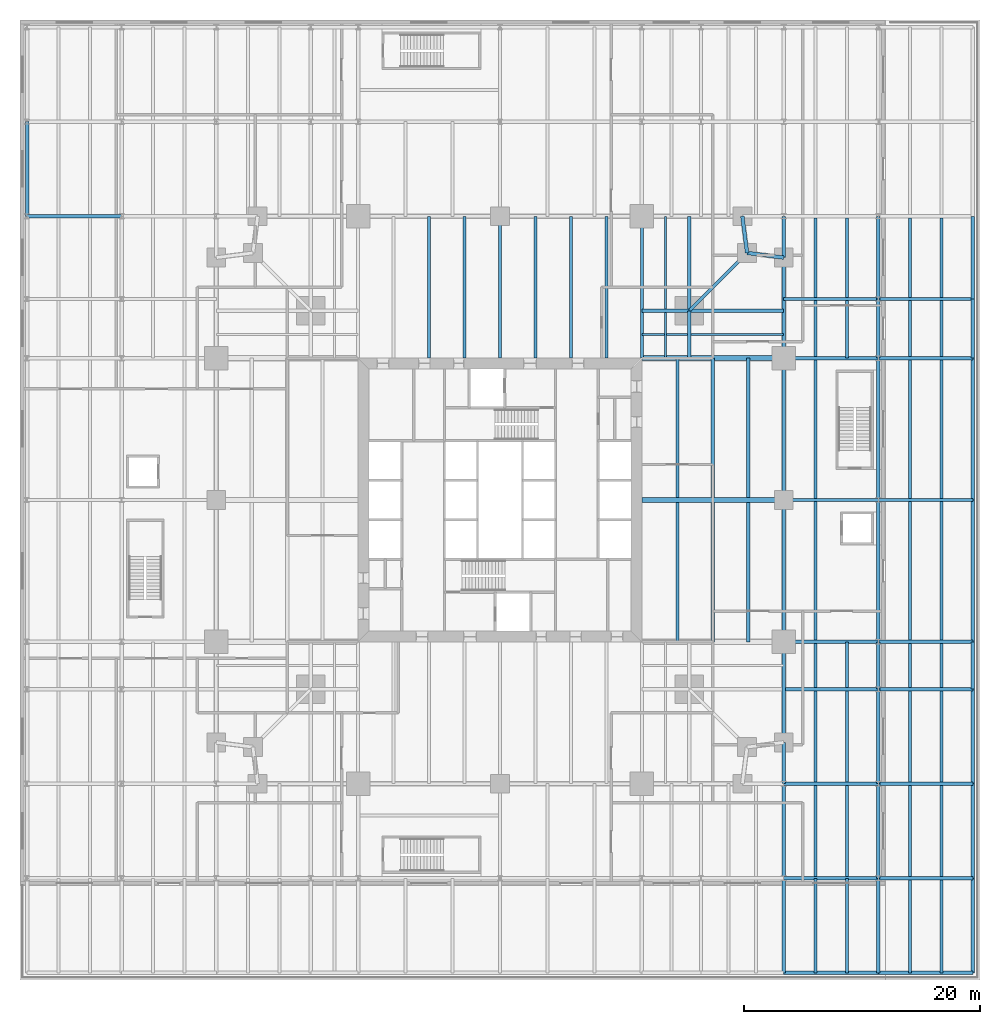
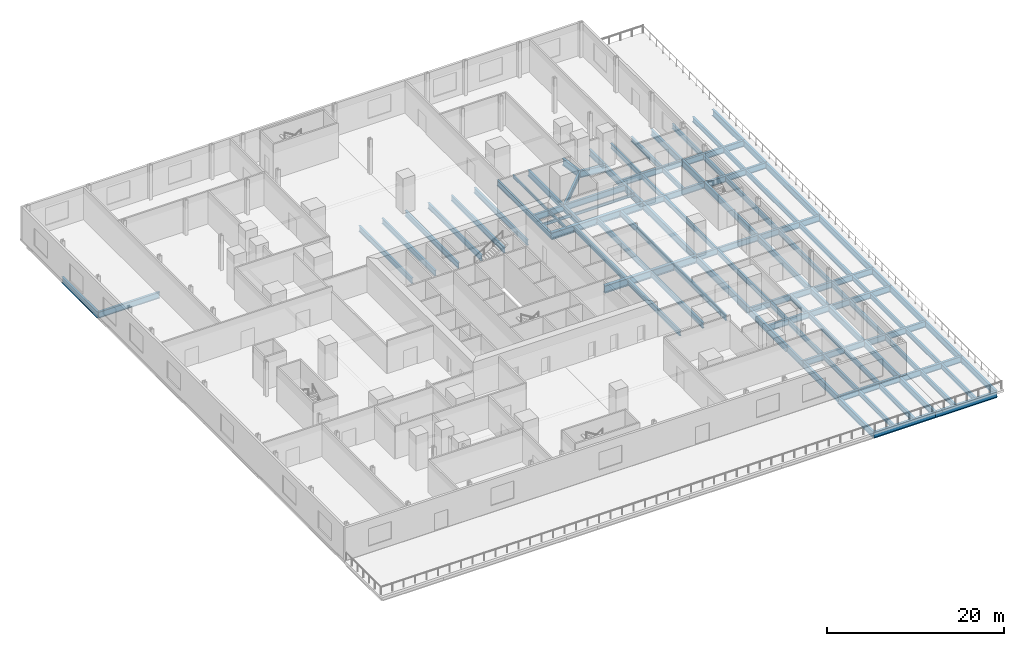
# One storey, part 7 of 18: 99 beams.
"""IFC4 building model written with IfcOpenShell, lengths in metres."""

import ifcopenshell
import ifcopenshell.guid

model = None  # the IFC model being written
_history = None  # IfcOwnerHistory: only IFC2X3 demands one
_inside = {}  # id of a spatial element -> (the spatial element, [elements in it])
_under = {}  # id of a project, library or spatial element -> (it, [spatial elements below it])
_declared = {}  # id of a project -> (the project, [libraries it declares])
_typed = {}  # id of a type object -> (the type object, [elements of that type])
_made_of = {}  # id of a material, layer set ... -> (it, [elements and type objects made of it])


def new_model(schema):
    """Start an empty IFC model of exactly this schema.

    Asked for "IFC4X3", IfcOpenShell would pick the latest addendum, in which some entities
    have other attributes; the version numbers below select the first issue.
    IFC2X3 requires an IfcOwnerHistory on every rooted entity: one is made here for all.
    """
    global model, _history
    if schema == "IFC4X3":
        model = ifcopenshell.file(schema_version=(4, 3, 0, 0))
    else:
        model = ifcopenshell.file(schema=schema)
    _inside.clear()
    _under.clear()
    _declared.clear()
    _typed.clear()
    _made_of.clear()
    _history = None
    if model.schema == "IFC2X3":
        org = make("IfcOrganization", Name="unknown")
        user = make(
            "IfcPersonAndOrganization",
            ThePerson=make("IfcPerson", FamilyName="unknown"),
            TheOrganization=org,
        )
        app = make(
            "IfcApplication",
            ApplicationDeveloper=org,
            Version="unknown",
            ApplicationFullName="unknown",
            ApplicationIdentifier="unknown",
        )
        _history = make(
            "IfcOwnerHistory",
            OwningUser=user,
            OwningApplication=app,
            ChangeAction="ADDED",
            CreationDate=0,
        )
    return model


def make(cls, **values):
    """One entity of the class cls with the attributes given. An attribute that is None is left unset."""
    return model.create_entity(
        cls, **{name: value for name, value in values.items() if value is not None}
    )


def rooted(cls, **values):
    """An entity with a GlobalId (a new one), such as an element, a storey or a relation."""
    return make(cls, GlobalId=ifcopenshell.guid.new(), OwnerHistory=_history, **values)


def si_unit(unit_type, name, prefix=None):
    """IfcSIUnit, for example si_unit("LENGTHUNIT", "METRE", prefix="MILLI")."""
    return make("IfcSIUnit", UnitType=unit_type, Prefix=prefix, Name=name)


def assignment(units):
    """IfcUnitAssignment: the units of a project."""
    return None if units is None else make("IfcUnitAssignment", Units=units)


def point(xyz):
    """IfcCartesianPoint."""
    return None if xyz is None else make("IfcCartesianPoint", Coordinates=xyz)


def direction(xyz):
    """IfcDirection."""
    return None if xyz is None else make("IfcDirection", DirectionRatios=xyz)


def frame(location, z_axis=None, x_axis=None):
    """IfcAxis2Placement3D, a coordinate frame: its origin and axes. An axis left out is left unset."""
    return make(
        "IfcAxis2Placement3D",
        Location=point(location),
        Axis=direction(z_axis),
        RefDirection=direction(x_axis),
    )


def frame_2d(location, x_axis=None):
    """IfcAxis2Placement2D, a coordinate frame in the plane: its origin and x axis."""
    return make(
        "IfcAxis2Placement2D", Location=point(location), RefDirection=direction(x_axis)
    )


def origin():
    """The frame at (0, 0, 0) with its axes left unset."""
    return frame((0.0, 0.0, 0.0))


def origin_2d():
    """The frame at (0, 0) in the plane with its x axis left unset."""
    return frame_2d((0.0, 0.0))


def place(relative_to, where):
    """IfcLocalPlacement: puts the frame where relative to a parent placement (None: the world)."""
    return make(
        "IfcLocalPlacement", PlacementRelTo=relative_to, RelativePlacement=where
    )


def context(
    kind, dimensions, precision=None, world=None, true_north=None, identifier=None
):
    """IfcGeometricRepresentationContext, for example the 3D "Model" context."""
    return make(
        "IfcGeometricRepresentationContext",
        ContextIdentifier=identifier,
        ContextType=kind,
        CoordinateSpaceDimension=dimensions,
        Precision=precision,
        WorldCoordinateSystem=world,
        TrueNorth=true_north,
    )


def subcontext(parent, identifier, kind, view, scale=None):
    """IfcGeometricRepresentationSubContext, for example "Body" below "Model"."""
    return make(
        "IfcGeometricRepresentationSubContext",
        ContextIdentifier=identifier,
        ContextType=kind,
        ParentContext=parent,
        TargetScale=scale,
        TargetView=view,
    )


def project(units=None, contexts=None):
    """IfcProject with its units and contexts."""
    return rooted(
        "IfcProject",
        Name="project",
        RepresentationContexts=contexts,
        UnitsInContext=assignment(units),
    )


def spatial(cls, under=None, at=None, **own):
    """A site, building, storey or space (cls), placed at a placement, below another one or the project."""
    s = rooted(cls, ObjectPlacement=at, **own)
    if under is not None:
        _under.setdefault(under.id(), (under, []))[1].append(s)
    return s


def profile(cls, at=None, kind="AREA", **sizes):
    """A parametric profile (cls). Its sizes go by their IFC names, for example OverallWidth=200.0."""
    return make(cls, ProfileType=kind, Position=at, **sizes)


def i_section(**sizes):
    """IfcIShapeProfileDef."""
    return profile("IfcIShapeProfileDef", **sizes)


def extrude(swept, where, along, depth):
    """IfcExtrudedAreaSolid: the profile swept, set in the frame where, extruded along a direction by depth."""
    return make(
        "IfcExtrudedAreaSolid",
        SweptArea=swept,
        Position=where,
        ExtrudedDirection=direction(along),
        Depth=depth,
    )


def shape(context_of_items, identifier, shape_type, items):
    """IfcShapeRepresentation: the items that make up one representation, for example the "Body"."""
    return make(
        "IfcShapeRepresentation",
        ContextOfItems=context_of_items,
        RepresentationIdentifier=identifier,
        RepresentationType=shape_type,
        Items=items,
    )


def material(Name=None, Category=None):
    """IfcMaterial."""
    return make("IfcMaterial", Name=Name, Category=Category)


def material_profile(
    of_material, cross_section, Name=None, Category=None, Priority=None
):
    """IfcMaterialProfile: a cross section and its material."""
    return make(
        "IfcMaterialProfile",
        Name=Name,
        Material=of_material,
        Profile=cross_section,
        Priority=Priority,
        Category=Category,
    )


def profile_set(profiles, Name=None, composite=None):
    """IfcMaterialProfileSet."""
    return make(
        "IfcMaterialProfileSet",
        Name=Name,
        MaterialProfiles=profiles,
        CompositeProfile=composite,
    )


def made_of(thing, what):
    """Note that an element or type object is made of a material, layer set ...; save() writes the relation."""
    if what is not None:
        _made_of.setdefault(what.id(), (what, []))[1].append(thing)
    return thing


def type_object(cls, material=None, **own):
    """A type object (cls), such as IfcWallType, which elements share."""
    return made_of(rooted(cls, **own), material)


def element(
    cls,
    number,
    at=None,
    inside=None,
    cuts=None,
    type_object=None,
    material=None,
    context=None,
    identifier="Body",
    shape_type=None,
    held_by="IfcProductDefinitionShape",
    body=None,
    shapes=None,
    **own,
):
    """One element of the class cls, such as IfcWall. Its Tag is "e" and its number.

    at: its placement. inside: the storey or other place that contains it. cuts: it is an
    opening in that element (IfcRelVoidsElement). A single representation is given by context,
    identifier, shape_type and body (its items); several are given by shapes. held_by: the class
    of the entity that holds the representations. save() writes the other relations.
    """
    e = rooted(cls, Tag="e%d" % number, ObjectPlacement=at, **own)
    if body is not None:
        shapes = [shape(context, identifier, shape_type, body)]
    if shapes is not None:
        e.Representation = make(held_by, Representations=shapes)
    if inside is not None:
        _inside.setdefault(inside.id(), (inside, []))[1].append(e)
    if cuts is not None:
        rooted(
            "IfcRelVoidsElement", RelatingBuildingElement=cuts, RelatedOpeningElement=e
        )
    if type_object is not None:
        _typed.setdefault(type_object.id(), (type_object, []))[1].append(e)
    return made_of(e, material)


def aggregate(whole, parts):
    """IfcRelAggregates: a whole, such as a stair, and the parts it consists of."""
    return rooted("IfcRelAggregates", RelatingObject=whole, RelatedObjects=parts)


def save(model, path):
    """Write the relations noted so far, then the file.

    IfcRelAggregates (storeys below a building ...), IfcRelContainedInSpatialStructure (elements
    in a storey), IfcRelDefinesByType, IfcRelAssociatesMaterial and IfcRelDeclares: one each for
    every whole, place, type object, material and project.
    """
    for whole, parts in _under.values():
        aggregate(whole, parts)
    for where, things in _inside.values():
        rooted(
            "IfcRelContainedInSpatialStructure",
            RelatedElements=things,
            RelatingStructure=where,
        )
    for kind, things in _typed.values():
        rooted("IfcRelDefinesByType", RelatedObjects=things, RelatingType=kind)
    for what, things in _made_of.values():
        rooted("IfcRelAssociatesMaterial", RelatedObjects=things, RelatingMaterial=what)
    for by, libraries in _declared.values():
        rooted("IfcRelDeclares", RelatingContext=by, RelatedDefinitions=libraries)
    model.write(path)


model = new_model("IFC4")

# Units and contexts
model_context = context("Model", 3, precision=1e-05, world=origin(), true_north=direction((0.0, 1.0)))
body_context = subcontext(model_context, "Body", "Model", "MODEL_VIEW")
ifc_project = project(units=[si_unit("LENGTHUNIT", "METRE"), si_unit("AREAUNIT", "SQUARE_METRE"), si_unit("VOLUMEUNIT", "CUBIC_METRE"), si_unit("PLANEANGLEUNIT", "RADIAN"), si_unit("MASSUNIT", "GRAM", prefix="KILO")], contexts=[model_context])

# Site, building, storey
site_placement = place(None, origin())
site = spatial("IfcSite", under=ifc_project, at=site_placement, CompositionType="ELEMENT")
building_placement = place(site_placement, origin())
building = spatial("IfcBuilding", under=site, at=building_placement, Name="Fenwick Lantern Interchange", CompositionType="ELEMENT")
storey_placement = place(building_placement, frame((0.0, 0.0, 11.800048828125)))
storey = spatial("IfcBuildingStorey", under=building, at=storey_placement, Name="L02", CompositionType="ELEMENT", Elevation=11.800048828125)

# Beams
ifc_material = material(Name="Steel ASTM A992 Grade 50", Category="steel")
ifc_material_profile_1 = material_profile(ifc_material, i_section(OverallWidth=0.309814453125, OverallDepth=0.949951171875, WebThickness=0.0244140625, FlangeThickness=0.0439453125, at=origin_2d()), Name="W36X256")
ifc_profile_set_1 = profile_set([ifc_material_profile_1], Name="Steel ASTM A992 Grade 50")
beam_type_1 = type_object("IfcBeamType", Name="EDGE BEAM W36X256", PredefinedType="SPANDREL", material=ifc_profile_set_1)
beam_1_placement = place(storey_placement, frame((49.0, 4.5, -0.675048828125), z_axis=(0.0, 1.0, 0.0), x_axis=(-1.0, 0.0, 0.0)))
element("IfcBeam", 1, at=beam_1_placement, inside=storey, type_object=beam_type_1, Name="L02/FR/E/EB1", PredefinedType="SPANDREL", context=body_context, shape_type="SweptSolid", body=[
    extrude(i_section(OverallWidth=0.309814453125, OverallDepth=0.949951171875, WebThickness=0.0244140625, FlangeThickness=0.0439453125, at=origin_2d()), origin(), (0.0, 0.0, 1.0), 8.5),
])
for number, where, z_axis, x_axis, name in (
    (2, (49.0, 13.0, -0.675048828125), (0.0, 1.0, 0.0), (-1.0, 0.0, 0.0), "L02/FR/E/EB2"),
    (3, (49.0, 25.0, -0.675048828125), (0.0, 1.0, 0.0), (-1.0, 0.0, 0.0), "L02/FR/E/EB3"),
):
    element("IfcBeam", number, at=place(storey_placement, frame(where, z_axis=z_axis, x_axis=x_axis)), inside=storey, type_object=beam_type_1, Name=name, PredefinedType="SPANDREL", context=body_context, shape_type="SweptSolid", body=[
        extrude(i_section(OverallWidth=0.309814453125, OverallDepth=0.949951171875, WebThickness=0.0244140625, FlangeThickness=0.0439453125, at=origin_2d()), origin(), (0.0, 0.0, 1.0), 12.0),
    ])
beam_2_placement = place(storey_placement, frame((49.0, 37.0, -0.675048828125), z_axis=(0.0, 1.0, 0.0), x_axis=(-1.0, 0.0, 0.0)))
element("IfcBeam", 4, at=beam_2_placement, inside=storey, type_object=beam_type_1, Name="L02/FR/E/EB4", PredefinedType="SPANDREL", context=body_context, shape_type="SweptSolid", body=[
    extrude(i_section(OverallWidth=0.309814453125, OverallDepth=0.949951171875, WebThickness=0.0244140625, FlangeThickness=0.0439453125, at=origin_2d()), origin(), (0.0, 0.0, 1.0), 8.5),
])
for number, where, z_axis, x_axis, name in (
    (5, (49.0, 45.5, -0.675048828125), (-0.991782342897, 0.127936641807, 0.0), (-0.127936641807, -0.991782342897, 0.0), "L02/FR/E/EBR1"),
    (6, (45.89990234375, 45.89990234375, -0.675048828125), (-0.127936641807, 0.991782342897, 0.0), (-0.991782342897, -0.127936641807, 0.0), "L02/FR/E/EBR2"),
):
    element("IfcBeam", number, at=place(storey_placement, frame(where, z_axis=z_axis, x_axis=x_axis)), inside=storey, type_object=beam_type_1, Name=name, PredefinedType="SPANDREL", context=body_context, shape_type="SweptSolid", body=[
        extrude(i_section(OverallWidth=0.309814453125, OverallDepth=0.949951171875, WebThickness=0.0244140625, FlangeThickness=0.0439453125, at=origin_2d()), origin(), (0.0, 0.0, 1.0), 3.125732421875),
    ])
ifc_material_profile_2 = material_profile(ifc_material, i_section(OverallWidth=0.2666015625, OverallDepth=0.7568359375, WebThickness=0.013916015625, FlangeThickness=0.019287109375, at=origin_2d()), Name="W30X108")
ifc_profile_set_2 = profile_set([ifc_material_profile_2], Name="Steel ASTM A992 Grade 50")
beam_type_2 = type_object("IfcBeamType", Name="FLOOR BEAM W30X108", PredefinedType="BEAM", material=ifc_profile_set_2)
for number, where, z_axis, x_axis, name in (
    (7, (46.0, 13.0, -0.57861328125), (0.0, 1.0, 0.0), (-1.0, 0.0, 0.0), "L02/FR/E/B01"),
    (8, (43.0, 13.0, -0.57861328125), (0.0, 1.0, 0.0), (-1.0, 0.0, 0.0), "L02/FR/E/B02"),
    (9, (40.0, 13.0, -0.57861328125), (0.0, 1.0, 0.0), (-1.0, 0.0, 0.0), "L02/FR/E/B03"),
    (10, (46.0, 25.20458984375, -0.57861328125), (0.0, 1.0, 0.0), (-1.0, 0.0, 0.0), "L02/FR/E/B04"),
    (11, (43.0, 25.20458984375, -0.57861328125), (0.0, 1.0, 0.0), (-1.0, 0.0, 0.0), "L02/FR/E/B05"),
    (12, (40.0, 25.20458984375, -0.57861328125), (0.0, 1.0, 0.0), (-1.0, 0.0, 0.0), "L02/FR/E/B06"),
):
    element("IfcBeam", number, at=place(storey_placement, frame(where, z_axis=z_axis, x_axis=x_axis)), inside=storey, type_object=beam_type_2, Name=name, PredefinedType="BEAM", context=body_context, shape_type="SweptSolid", body=[
        extrude(i_section(OverallWidth=0.2666015625, OverallDepth=0.7568359375, WebThickness=0.013916015625, FlangeThickness=0.019287109375, at=origin_2d()), origin(), (0.0, 0.0, 1.0), 11.79541015625),
    ])
for number, where, z_axis, x_axis, name in (
    (13, (34.0, 49.0, -0.57861328125), (0.0, -1.0, 0.0), (1.0, 0.0, 0.0), "L02/FR/N/R02"),
    (14, (31.0, 49.0, -0.57861328125), (0.0, -1.0, 0.0), (1.0, 0.0, 0.0), "L02/FR/N/R03"),
    (15, (28.0, 49.0, -0.57861328125), (0.0, -1.0, 0.0), (1.0, 0.0, 0.0), "L02/FR/N/R04"),
    (16, (22.0, 49.0, -0.57861328125), (0.0, -1.0, 0.0), (1.0, 0.0, 0.0), "L02/FR/N/R06"),
    (17, (19.0, 49.0, -0.57861328125), (0.0, -1.0, 0.0), (1.0, 0.0, 0.0), "L02/FR/N/R07"),
):
    element("IfcBeam", number, at=place(storey_placement, frame(where, z_axis=z_axis, x_axis=x_axis)), inside=storey, type_object=beam_type_2, Name=name, PredefinedType="BEAM", context=body_context, shape_type="SweptSolid", body=[
        extrude(i_section(OverallWidth=0.2666015625, OverallDepth=0.7568359375, WebThickness=0.013916015625, FlangeThickness=0.019287109375, at=origin_2d()), origin(), (0.0, 0.0, 1.0), 12.0),
    ])
ifc_material_profile_3 = material_profile(ifc_material, i_section(OverallWidth=0.177734375, OverallDepth=0.406494140625, WebThickness=0.0078125, FlangeThickness=0.012939453125, at=origin_2d()), Name="W16X40")
ifc_profile_set_3 = profile_set([ifc_material_profile_3], Name="Steel ASTM A992 Grade 50")
beam_type_3 = type_object("IfcBeamType", Name="INFILL BEAM W16X40", PredefinedType="JOIST", material=ifc_profile_set_3)
beam_3_placement = place(storey_placement, frame((39.0, 49.0, -0.4033203125), z_axis=(0.0, -1.0, 0.0), x_axis=(1.0, 0.0, 0.0)))
element("IfcBeam", 18, at=beam_3_placement, inside=storey, type_object=beam_type_3, Name="L02/FR/N/J1", PredefinedType="JOIST", context=body_context, shape_type="SweptSolid", body=[
    extrude(i_section(OverallWidth=0.177734375, OverallDepth=0.406494140625, WebThickness=0.0078125, FlangeThickness=0.012939453125, at=origin_2d()), origin(), (0.0, 0.0, 1.0), 7.85400390625),
])
beam_4_placement = place(storey_placement, frame((39.0, 40.85400390625, -0.4033203125), z_axis=(0.0, -1.0, 0.0), x_axis=(1.0, 0.0, 0.0)))
element("IfcBeam", 19, at=beam_4_placement, inside=storey, type_object=beam_type_3, Name="L02/FR/N/J2", PredefinedType="JOIST", context=body_context, shape_type="SweptSolid", body=[
    extrude(i_section(OverallWidth=0.177734375, OverallDepth=0.406494140625, WebThickness=0.0078125, FlangeThickness=0.012939453125, at=origin_2d()), origin(), (0.0, 0.0, 1.0), 3.85400390625),
])
beam_5_placement = place(storey_placement, frame((49.0, 39.0, -0.4033203125), z_axis=(-1.0, 0.0, 0.0), x_axis=(0.0, -1.0, 0.0)))
element("IfcBeam", 20, at=beam_5_placement, inside=storey, type_object=beam_type_3, Name="L02/FR/N/J3", PredefinedType="JOIST", context=body_context, shape_type="SweptSolid", body=[
    extrude(i_section(OverallWidth=0.177734375, OverallDepth=0.406494140625, WebThickness=0.0078125, FlangeThickness=0.012939453125, at=origin_2d()), origin(), (0.0, 0.0, 1.0), 7.85400390625),
])
beam_6_placement = place(storey_placement, frame((40.85400390625, 39.0, -0.4033203125), z_axis=(-1.0, 0.0, 0.0), x_axis=(0.0, -1.0, 0.0)))
element("IfcBeam", 21, at=beam_6_placement, inside=storey, type_object=beam_type_3, Name="L02/FR/N/J4", PredefinedType="JOIST", context=body_context, shape_type="SweptSolid", body=[
    extrude(i_section(OverallWidth=0.177734375, OverallDepth=0.406494140625, WebThickness=0.0078125, FlangeThickness=0.012939453125, at=origin_2d()), origin(), (0.0, 0.0, 1.0), 1.76513671875),
])
beam_7_placement = place(storey_placement, frame((38.9111328125, 39.0, -0.4033203125), z_axis=(-1.0, 0.0, 0.0), x_axis=(0.0, -1.0, 0.0)))
element("IfcBeam", 22, at=beam_7_placement, inside=storey, type_object=beam_type_3, Name="L02/FR/N/J5", PredefinedType="JOIST", context=body_context, shape_type="SweptSolid", body=[
    extrude(i_section(OverallWidth=0.177734375, OverallDepth=0.406494140625, WebThickness=0.0078125, FlangeThickness=0.012939453125, at=origin_2d()), origin(), (0.0, 0.0, 1.0), 1.9111328125),
])
ifc_material_profile_4 = material_profile(ifc_material, i_section(OverallWidth=0.2919921875, OverallDepth=0.845703125, WebThickness=0.015380859375, FlangeThickness=0.0244140625, at=origin_2d()), Name="W33X141")
ifc_profile_set_4 = profile_set([ifc_material_profile_4], Name="Steel ASTM A992 Grade 50")
beam_type_4 = type_object("IfcBeamType", Name="MEGA COLUMN BEAM W33X141", PredefinedType="BEAM", material=ifc_profile_set_4)
for number, where, z_axis, x_axis, name in (
    (23, (41.0, 41.0, -0.623046875), (0.0, 1.0, 0.0), (-1.0, 0.0, 0.0), "L02/FR/N/MB1"),
    (24, (41.0, 41.0, -0.623046875), (1.0, 0.0, 0.0), (0.0, 1.0, 0.0), "L02/FR/N/MB2"),
):
    element("IfcBeam", number, at=place(storey_placement, frame(where, z_axis=z_axis, x_axis=x_axis)), inside=storey, type_object=beam_type_4, Name=name, PredefinedType="BEAM", context=body_context, shape_type="SweptSolid", body=[
        extrude(i_section(OverallWidth=0.2919921875, OverallDepth=0.845703125, WebThickness=0.015380859375, FlangeThickness=0.0244140625, at=origin_2d()), origin(), (0.0, 0.0, 1.0), 8.0),
    ])
for number, where, z_axis, x_axis, name in (
    (25, (41.0, 41.0, -0.623046875), (-1.0, 0.0, 0.0), (0.0, -1.0, 0.0), "L02/FR/N/MB3"),
    (26, (41.0, 41.0, -0.623046875), (0.0, -1.0, 0.0), (1.0, 0.0, 0.0), "L02/FR/N/MB4"),
):
    element("IfcBeam", number, at=place(storey_placement, frame(where, z_axis=z_axis, x_axis=x_axis)), inside=storey, type_object=beam_type_4, Name=name, PredefinedType="BEAM", context=body_context, shape_type="SweptSolid", body=[
        extrude(i_section(OverallWidth=0.2919921875, OverallDepth=0.845703125, WebThickness=0.015380859375, FlangeThickness=0.0244140625, at=origin_2d()), origin(), (0.0, 0.0, 1.0), 4.0),
    ])
ifc_material_profile_5 = material_profile(ifc_material, i_section(OverallWidth=0.2666015625, OverallDepth=0.76953125, WebThickness=0.015625, FlangeThickness=0.025390625, at=origin_2d()), Name="W30X132")
ifc_profile_set_5 = profile_set([ifc_material_profile_5], Name="Steel ASTM A992 Grade 50")
beam_type_5 = type_object("IfcBeamType", Name="MOMENT-CONNECTED GIRDER W30X132", PredefinedType="BEAM", material=ifc_profile_set_5)
for number, where, z_axis, x_axis, name in (
    (27, (37.0, 49.0, -0.5849609375), (0.0, -1.0, 0.0), (1.0, 0.0, 0.0), "L02/FR/N/R01"),
    (28, (25.0, 49.0, -0.5849609375), (0.0, -1.0, 0.0), (1.0, 0.0, 0.0), "L02/FR/N/R05"),
):
    element("IfcBeam", number, at=place(storey_placement, frame(where, z_axis=z_axis, x_axis=x_axis)), inside=storey, type_object=beam_type_5, Name=name, PredefinedType="BEAM", context=body_context, shape_type="SweptSolid", body=[
        extrude(i_section(OverallWidth=0.2666015625, OverallDepth=0.76953125, WebThickness=0.015625, FlangeThickness=0.025390625, at=origin_2d()), origin(), (0.0, 0.0, 1.0), 12.0),
    ])
ifc_material_profile_6 = material_profile(ifc_material, i_section(OverallWidth=0.424072265625, OverallDepth=0.947509765625, WebThickness=0.02392578125, FlangeThickness=0.042724609375, at=origin_2d()), Name="W36X302")
ifc_profile_set_6 = profile_set([ifc_material_profile_6], Name="Steel ASTM A992 Grade 50")
beam_type_6 = type_object("IfcBeamType", Name="MOMENT-CONNECTED GIRDER W36X302", PredefinedType="BEAM", material=ifc_profile_set_6)
beam_8_placement = place(storey_placement, frame((49.0, 37.0, -0.673828125), z_axis=(-1.0, 0.0, 0.0), x_axis=(0.0, -1.0, 0.0)))
element("IfcBeam", 29, at=beam_8_placement, inside=storey, type_object=beam_type_6, Name="L02/FR/E/R03", PredefinedType="BEAM", context=body_context, shape_type="SweptSolid", body=[
    extrude(i_section(OverallWidth=0.424072265625, OverallDepth=0.947509765625, WebThickness=0.02392578125, FlangeThickness=0.042724609375, at=origin_2d()), origin(), (0.0, 0.0, 1.0), 12.0),
])
ifc_material_profile_7 = material_profile(ifc_material, i_section(OverallWidth=0.408935546875, OverallDepth=1.04150390625, WebThickness=0.031005859375, FlangeThickness=0.055908203125, at=origin_2d()), Name="W40X397")
ifc_profile_set_7 = profile_set([ifc_material_profile_7], Name="Steel ASTM A992 Grade 50")
beam_type_7 = type_object("IfcBeamType", Name="MOMENT-CONNECTED GIRDER W40X397", PredefinedType="BEAM", material=ifc_profile_set_7)
beam_9_placement = place(storey_placement, frame((49.0, 25.0, -0.720703125), z_axis=(-1.0, 0.0, 0.0), x_axis=(0.0, -1.0, 0.0)))
element("IfcBeam", 30, at=beam_9_placement, inside=storey, type_object=beam_type_7, Name="L02/FR/E/R02", PredefinedType="BEAM", context=body_context, shape_type="SweptSolid", body=[
    extrude(i_section(OverallWidth=0.408935546875, OverallDepth=1.04150390625, WebThickness=0.031005859375, FlangeThickness=0.055908203125, at=origin_2d()), origin(), (0.0, 0.0, 1.0), 12.0),
])
ifc_material_profile_8 = material_profile(ifc_material, i_section(OverallWidth=0.2919921875, OverallDepth=0.845703125, WebThickness=0.015380859375, FlangeThickness=0.0244140625, at=origin_2d()), Name="W33X141")
ifc_profile_set_8 = profile_set([ifc_material_profile_8], Name="Steel ASTM A992 Grade 50")
beam_type_8 = type_object("IfcBeamType", Name="MOMENT-CONNECTED PODIUM GIRDER W33X141", PredefinedType="BEAM", material=ifc_profile_set_8)
for number, where, z_axis, x_axis, name in (
    (31, (49.0, -15.0, -0.722900390625), (1.0, 0.0, 0.0), (0.0, 1.0, 0.0), "L02/PF/G009"),
    (32, (57.0, -15.0, -0.722900390625), (1.0, 0.0, 0.0), (0.0, 1.0, 0.0), "L02/PF/G010"),
    (33, (49.0, -7.0, -0.623046875), (1.0, 0.0, 0.0), (0.0, 1.0, 0.0), "L02/PF/G019"),
    (34, (57.0, -7.0, -0.722900390625), (1.0, 0.0, 0.0), (0.0, 1.0, 0.0), "L02/PF/G020"),
    (35, (49.0, 1.0, -0.623046875), (1.0, 0.0, 0.0), (0.0, 1.0, 0.0), "L02/PF/G025"),
    (36, (57.0, 1.0, -0.722900390625), (1.0, 0.0, 0.0), (0.0, 1.0, 0.0), "L02/PF/G026"),
):
    element("IfcBeam", number, at=place(storey_placement, frame(where, z_axis=z_axis, x_axis=x_axis)), inside=storey, type_object=beam_type_8, Name=name, PredefinedType="BEAM", context=body_context, shape_type="SweptSolid", body=[
        extrude(i_section(OverallWidth=0.2919921875, OverallDepth=0.845703125, WebThickness=0.015380859375, FlangeThickness=0.0244140625, at=origin_2d()), origin(), (0.0, 0.0, 1.0), 8.0),
    ])
beam_10_placement = place(storey_placement, frame((49.155029296875, 9.0, -0.623046875), z_axis=(1.0, 0.0, 0.0), x_axis=(0.0, 1.0, 0.0)))
element("IfcBeam", 37, at=beam_10_placement, inside=storey, type_object=beam_type_8, Name="L02/PF/G029", PredefinedType="BEAM", context=body_context, shape_type="SweptSolid", body=[
    extrude(i_section(OverallWidth=0.2919921875, OverallDepth=0.845703125, WebThickness=0.015380859375, FlangeThickness=0.0244140625, at=origin_2d()), origin(), (0.0, 0.0, 1.0), 7.844970703125),
])
for number, where, z_axis, x_axis, name in (
    (38, (57.0, 9.0, -0.722900390625), (1.0, 0.0, 0.0), (0.0, 1.0, 0.0), "L02/PF/G030"),
    (39, (49.0, 13.0, -0.623046875), (1.0, 0.0, 0.0), (0.0, 1.0, 0.0), "L02/PF/G033"),
    (40, (57.0, 13.0, -0.722900390625), (1.0, 0.0, 0.0), (0.0, 1.0, 0.0), "L02/PF/G034"),
    (41, (49.0, 25.0, -0.623046875), (1.0, 0.0, 0.0), (0.0, 1.0, 0.0), "L02/PF/G037"),
    (42, (57.0, 25.0, -0.722900390625), (1.0, 0.0, 0.0), (0.0, 1.0, 0.0), "L02/PF/G038"),
    (43, (49.0, 37.0, -0.623046875), (1.0, 0.0, 0.0), (0.0, 1.0, 0.0), "L02/PF/G041"),
    (44, (57.0, 37.0, -0.722900390625), (1.0, 0.0, 0.0), (0.0, 1.0, 0.0), "L02/PF/G042"),
    (45, (49.0, 42.0, -0.623046875), (1.0, 0.0, 0.0), (0.0, 1.0, 0.0), "L02/PF/G045"),
    (46, (57.0, 42.0, -0.722900390625), (1.0, 0.0, 0.0), (0.0, 1.0, 0.0), "L02/PF/G046"),
    (47, (-15.0, 49.0, -0.623046875), (1.0, 0.0, 0.0), (0.0, 1.0, 0.0), "L02/PF/G047"),
    (48, (-15.0, 49.0, -0.623046875), (0.0, 1.0, 0.0), (-1.0, 0.0, 0.0), "L02/PF/G081"),
    (49, (49.0, -15.0, -0.722900390625), (0.0, 1.0, 0.0), (-1.0, 0.0, 0.0), "L02/PF/G119"),
    (50, (49.0, -7.0, -0.623046875), (0.0, 1.0, 0.0), (-1.0, 0.0, 0.0), "L02/PF/G120"),
):
    element("IfcBeam", number, at=place(storey_placement, frame(where, z_axis=z_axis, x_axis=x_axis)), inside=storey, type_object=beam_type_8, Name=name, PredefinedType="BEAM", context=body_context, shape_type="SweptSolid", body=[
        extrude(i_section(OverallWidth=0.2919921875, OverallDepth=0.845703125, WebThickness=0.015380859375, FlangeThickness=0.0244140625, at=origin_2d()), origin(), (0.0, 0.0, 1.0), 8.0),
    ])
for number, where, z_axis, x_axis, name in (
    (51, (49.0, 1.0, -0.623046875), (0.0, 1.0, 0.0), (-1.0, 0.0, 0.0), "L02/PF/G121"),
    (52, (49.0, 45.5, -0.623046875), (0.0, 1.0, 0.0), (-1.0, 0.0, 0.0), "L02/PF/G122"),
):
    element("IfcBeam", number, at=place(storey_placement, frame(where, z_axis=z_axis, x_axis=x_axis)), inside=storey, type_object=beam_type_8, Name=name, PredefinedType="BEAM", context=body_context, shape_type="SweptSolid", body=[
        extrude(i_section(OverallWidth=0.2919921875, OverallDepth=0.845703125, WebThickness=0.015380859375, FlangeThickness=0.0244140625, at=origin_2d()), origin(), (0.0, 0.0, 1.0), 3.5),
    ])
for number, where, z_axis, x_axis, name in (
    (53, (57.0, -15.0, -0.722900390625), (0.0, 1.0, 0.0), (-1.0, 0.0, 0.0), "L02/PF/G125"),
    (54, (57.0, -7.0, -0.623046875), (0.0, 1.0, 0.0), (-1.0, 0.0, 0.0), "L02/PF/G126"),
    (55, (57.0, 1.0, -0.623046875), (0.0, 1.0, 0.0), (-1.0, 0.0, 0.0), "L02/PF/G127"),
):
    element("IfcBeam", number, at=place(storey_placement, frame(where, z_axis=z_axis, x_axis=x_axis)), inside=storey, type_object=beam_type_8, Name=name, PredefinedType="BEAM", context=body_context, shape_type="SweptSolid", body=[
        extrude(i_section(OverallWidth=0.2919921875, OverallDepth=0.845703125, WebThickness=0.015380859375, FlangeThickness=0.0244140625, at=origin_2d()), origin(), (0.0, 0.0, 1.0), 8.0),
    ])
beam_11_placement = place(storey_placement, frame((57.0, 9.0, -0.623046875), z_axis=(0.0, 1.0, 0.0), x_axis=(-1.0, 0.0, 0.0)))
element("IfcBeam", 56, at=beam_11_placement, inside=storey, type_object=beam_type_8, Name="L02/PF/G128", PredefinedType="BEAM", context=body_context, shape_type="SweptSolid", body=[
    extrude(i_section(OverallWidth=0.2919921875, OverallDepth=0.845703125, WebThickness=0.015380859375, FlangeThickness=0.0244140625, at=origin_2d()), origin(), (0.0, 0.0, 1.0), 4.0),
])
for number, where, z_axis, x_axis, name in (
    (57, (57.0, 13.0, -0.623046875), (0.0, 1.0, 0.0), (-1.0, 0.0, 0.0), "L02/PF/G129"),
    (58, (57.0, 25.0, -0.623046875), (0.0, 1.0, 0.0), (-1.0, 0.0, 0.0), "L02/PF/G130"),
):
    element("IfcBeam", number, at=place(storey_placement, frame(where, z_axis=z_axis, x_axis=x_axis)), inside=storey, type_object=beam_type_8, Name=name, PredefinedType="BEAM", context=body_context, shape_type="SweptSolid", body=[
        extrude(i_section(OverallWidth=0.2919921875, OverallDepth=0.845703125, WebThickness=0.015380859375, FlangeThickness=0.0244140625, at=origin_2d()), origin(), (0.0, 0.0, 1.0), 12.0),
    ])
beam_12_placement = place(storey_placement, frame((57.0, 37.0, -0.623046875), z_axis=(0.0, 1.0, 0.0), x_axis=(-1.0, 0.0, 0.0)))
element("IfcBeam", 59, at=beam_12_placement, inside=storey, type_object=beam_type_8, Name="L02/PF/G131", PredefinedType="BEAM", context=body_context, shape_type="SweptSolid", body=[
    extrude(i_section(OverallWidth=0.2919921875, OverallDepth=0.845703125, WebThickness=0.015380859375, FlangeThickness=0.0244140625, at=origin_2d()), origin(), (0.0, 0.0, 1.0), 5.0),
])
beam_13_placement = place(storey_placement, frame((57.0, 42.0, -0.623046875), z_axis=(0.0, 1.0, 0.0), x_axis=(-1.0, 0.0, 0.0)))
element("IfcBeam", 60, at=beam_13_placement, inside=storey, type_object=beam_type_8, Name="L02/PF/G132", PredefinedType="BEAM", context=body_context, shape_type="SweptSolid", body=[
    extrude(i_section(OverallWidth=0.2919921875, OverallDepth=0.845703125, WebThickness=0.015380859375, FlangeThickness=0.0244140625, at=origin_2d()), origin(), (0.0, 0.0, 1.0), 7.0),
])
for number, where, z_axis, x_axis, name in (
    (61, (65.0, -15.0, -0.722900390625), (0.0, 1.0, 0.0), (-1.0, 0.0, 0.0), "L02/PF/G135"),
    (62, (65.0, -7.0, -0.722900390625), (0.0, 1.0, 0.0), (-1.0, 0.0, 0.0), "L02/PF/G136"),
    (63, (65.0, 1.0, -0.722900390625), (0.0, 1.0, 0.0), (-1.0, 0.0, 0.0), "L02/PF/G137"),
):
    element("IfcBeam", number, at=place(storey_placement, frame(where, z_axis=z_axis, x_axis=x_axis)), inside=storey, type_object=beam_type_8, Name=name, PredefinedType="BEAM", context=body_context, shape_type="SweptSolid", body=[
        extrude(i_section(OverallWidth=0.2919921875, OverallDepth=0.845703125, WebThickness=0.015380859375, FlangeThickness=0.0244140625, at=origin_2d()), origin(), (0.0, 0.0, 1.0), 8.0),
    ])
beam_14_placement = place(storey_placement, frame((65.0, 9.0, -0.722900390625), z_axis=(0.0, 1.0, 0.0), x_axis=(-1.0, 0.0, 0.0)))
element("IfcBeam", 64, at=beam_14_placement, inside=storey, type_object=beam_type_8, Name="L02/PF/G138", PredefinedType="BEAM", context=body_context, shape_type="SweptSolid", body=[
    extrude(i_section(OverallWidth=0.2919921875, OverallDepth=0.845703125, WebThickness=0.015380859375, FlangeThickness=0.0244140625, at=origin_2d()), origin(), (0.0, 0.0, 1.0), 4.0),
])
for number, where, z_axis, x_axis, name in (
    (65, (65.0, 13.0, -0.722900390625), (0.0, 1.0, 0.0), (-1.0, 0.0, 0.0), "L02/PF/G139"),
    (66, (65.0, 25.0, -0.722900390625), (0.0, 1.0, 0.0), (-1.0, 0.0, 0.0), "L02/PF/G140"),
):
    element("IfcBeam", number, at=place(storey_placement, frame(where, z_axis=z_axis, x_axis=x_axis)), inside=storey, type_object=beam_type_8, Name=name, PredefinedType="BEAM", context=body_context, shape_type="SweptSolid", body=[
        extrude(i_section(OverallWidth=0.2919921875, OverallDepth=0.845703125, WebThickness=0.015380859375, FlangeThickness=0.0244140625, at=origin_2d()), origin(), (0.0, 0.0, 1.0), 12.0),
    ])
beam_15_placement = place(storey_placement, frame((65.0, 37.0, -0.722900390625), z_axis=(0.0, 1.0, 0.0), x_axis=(-1.0, 0.0, 0.0)))
element("IfcBeam", 67, at=beam_15_placement, inside=storey, type_object=beam_type_8, Name="L02/PF/G141", PredefinedType="BEAM", context=body_context, shape_type="SweptSolid", body=[
    extrude(i_section(OverallWidth=0.2919921875, OverallDepth=0.845703125, WebThickness=0.015380859375, FlangeThickness=0.0244140625, at=origin_2d()), origin(), (0.0, 0.0, 1.0), 5.0),
])
beam_16_placement = place(storey_placement, frame((65.0, 42.0, -0.722900390625), z_axis=(0.0, 1.0, 0.0), x_axis=(-1.0, 0.0, 0.0)))
element("IfcBeam", 68, at=beam_16_placement, inside=storey, type_object=beam_type_8, Name="L02/PF/G142", PredefinedType="BEAM", context=body_context, shape_type="SweptSolid", body=[
    extrude(i_section(OverallWidth=0.2919921875, OverallDepth=0.845703125, WebThickness=0.015380859375, FlangeThickness=0.0244140625, at=origin_2d()), origin(), (0.0, 0.0, 1.0), 7.0),
])
ifc_material_profile_9 = material_profile(ifc_material, i_section(OverallWidth=0.2666015625, OverallDepth=0.7568359375, WebThickness=0.013916015625, FlangeThickness=0.019287109375, at=origin_2d()), Name="W30X108")
ifc_profile_set_9 = profile_set([ifc_material_profile_9], Name="Steel ASTM A992 Grade 50")
beam_type_9 = type_object("IfcBeamType", Name="NOTCH BEAM W30X108", PredefinedType="BEAM", material=ifc_profile_set_9)
beam_17_placement = place(storey_placement, frame((41.0, 41.0, -0.57861328125), z_axis=(0.707106781187, 0.707106781187, 0.0), x_axis=(-0.707106781187, 0.707106781187, 0.0)))
element("IfcBeam", 69, at=beam_17_placement, inside=storey, type_object=beam_type_9, Name="L02/FR/N/TG", PredefinedType="BEAM", context=body_context, shape_type="SweptSolid", body=[
    extrude(i_section(OverallWidth=0.2666015625, OverallDepth=0.7568359375, WebThickness=0.013916015625, FlangeThickness=0.019287109375, at=origin_2d()), origin(), (0.0, 0.0, 1.0), 6.929443359375),
])
ifc_material_profile_10 = material_profile(ifc_material, i_section(OverallWidth=0.25390625, OverallDepth=0.683349609375, WebThickness=0.012451171875, FlangeThickness=0.01904296875, at=origin_2d()), Name="W27X94")
ifc_profile_set_10 = profile_set([ifc_material_profile_10], Name="Steel ASTM A992 Grade 50")
beam_type_10 = type_object("IfcBeamType", Name="PODIUM BEAM W27X94", PredefinedType="JOIST", material=ifc_profile_set_10)
for number, where, z_axis, x_axis, name in (
    (70, (51.666748046875, -15.0, -0.6416015625), (0.0, 1.0, 0.0), (-1.0, 0.0, 0.0), "L02/PF/J221"),
    (71, (54.333251953125, -15.0, -0.6416015625), (0.0, 1.0, 0.0), (-1.0, 0.0, 0.0), "L02/PF/J222"),
):
    element("IfcBeam", number, at=place(storey_placement, frame(where, z_axis=z_axis, x_axis=x_axis)), inside=storey, type_object=beam_type_10, Name=name, PredefinedType="JOIST", context=body_context, shape_type="SweptSolid", body=[
        extrude(i_section(OverallWidth=0.25390625, OverallDepth=0.683349609375, WebThickness=0.012451171875, FlangeThickness=0.01904296875, at=origin_2d()), origin(), (0.0, 0.0, 1.0), 7.992431640625),
    ])
for number, where, z_axis, x_axis, name in (
    (72, (51.666748046875, -6.85400390625, -0.541748046875), (0.0, 1.0, 0.0), (-1.0, 0.0, 0.0), "L02/PF/J223"),
    (73, (54.333251953125, -6.85400390625, -0.541748046875), (0.0, 1.0, 0.0), (-1.0, 0.0, 0.0), "L02/PF/J224"),
    (74, (51.666748046875, 1.14599609375, -0.541748046875), (0.0, 1.0, 0.0), (-1.0, 0.0, 0.0), "L02/PF/J225"),
    (75, (54.333251953125, 1.14599609375, -0.541748046875), (0.0, 1.0, 0.0), (-1.0, 0.0, 0.0), "L02/PF/J226"),
):
    element("IfcBeam", number, at=place(storey_placement, frame(where, z_axis=z_axis, x_axis=x_axis)), inside=storey, type_object=beam_type_10, Name=name, PredefinedType="JOIST", context=body_context, shape_type="SweptSolid", body=[
        extrude(i_section(OverallWidth=0.25390625, OverallDepth=0.683349609375, WebThickness=0.012451171875, FlangeThickness=0.01904296875, at=origin_2d()), origin(), (0.0, 0.0, 1.0), 7.7080078125),
    ])
beam_18_placement = place(storey_placement, frame((51.666748046875, 9.14599609375, -0.541748046875), z_axis=(0.0, 1.0, 0.0), x_axis=(-1.0, 0.0, 0.0)))
element("IfcBeam", 76, at=beam_18_placement, inside=storey, type_object=beam_type_10, Name="L02/PF/J227", PredefinedType="JOIST", context=body_context, shape_type="SweptSolid", body=[
    extrude(i_section(OverallWidth=0.25390625, OverallDepth=0.683349609375, WebThickness=0.012451171875, FlangeThickness=0.01904296875, at=origin_2d()), origin(), (0.0, 0.0, 1.0), 3.7080078125),
])
beam_19_placement = place(storey_placement, frame((54.333251953125, 9.14599609375, -0.541748046875), z_axis=(0.0, 1.0, 0.0), x_axis=(-1.0, 0.0, 0.0)))
element("IfcBeam", 77, at=beam_19_placement, inside=storey, type_object=beam_type_10, Name="L02/PF/J228", PredefinedType="JOIST", context=body_context, shape_type="SweptSolid", body=[
    extrude(i_section(OverallWidth=0.25390625, OverallDepth=0.683349609375, WebThickness=0.012451171875, FlangeThickness=0.01904296875, at=origin_2d()), origin(), (0.0, 0.0, 1.0), 3.85400390625),
])
for number, where, z_axis, x_axis, name in (
    (78, (51.666748046875, 13.14599609375, -0.541748046875), (0.0, 1.0, 0.0), (-1.0, 0.0, 0.0), "L02/PF/J229"),
    (79, (51.666748046875, 25.14599609375, -0.541748046875), (0.0, 1.0, 0.0), (-1.0, 0.0, 0.0), "L02/PF/J230"),
):
    element("IfcBeam", number, at=place(storey_placement, frame(where, z_axis=z_axis, x_axis=x_axis)), inside=storey, type_object=beam_type_10, Name=name, PredefinedType="JOIST", context=body_context, shape_type="SweptSolid", body=[
        extrude(i_section(OverallWidth=0.25390625, OverallDepth=0.683349609375, WebThickness=0.012451171875, FlangeThickness=0.01904296875, at=origin_2d()), origin(), (0.0, 0.0, 1.0), 11.7080078125),
    ])
beam_20_placement = place(storey_placement, frame((51.666748046875, 37.14599609375, -0.541748046875), z_axis=(0.0, 1.0, 0.0), x_axis=(-1.0, 0.0, 0.0)))
element("IfcBeam", 80, at=beam_20_placement, inside=storey, type_object=beam_type_10, Name="L02/PF/J231", PredefinedType="JOIST", context=body_context, shape_type="SweptSolid", body=[
    extrude(i_section(OverallWidth=0.25390625, OverallDepth=0.683349609375, WebThickness=0.012451171875, FlangeThickness=0.01904296875, at=origin_2d()), origin(), (0.0, 0.0, 1.0), 4.7080078125),
])
beam_21_placement = place(storey_placement, frame((54.333251953125, 37.0, -0.541748046875), z_axis=(0.0, 1.0, 0.0), x_axis=(-1.0, 0.0, 0.0)))
element("IfcBeam", 81, at=beam_21_placement, inside=storey, type_object=beam_type_10, Name="L02/PF/J232", PredefinedType="JOIST", context=body_context, shape_type="SweptSolid", body=[
    extrude(i_section(OverallWidth=0.25390625, OverallDepth=0.683349609375, WebThickness=0.012451171875, FlangeThickness=0.01904296875, at=origin_2d()), origin(), (0.0, 0.0, 1.0), 4.85400390625),
])
for number, where, z_axis, x_axis, name in (
    (82, (51.666748046875, 42.14599609375, -0.541748046875), (0.0, 1.0, 0.0), (-1.0, 0.0, 0.0), "L02/PF/J233"),
    (83, (54.333251953125, 42.14599609375, -0.541748046875), (0.0, 1.0, 0.0), (-1.0, 0.0, 0.0), "L02/PF/J234"),
):
    element("IfcBeam", number, at=place(storey_placement, frame(where, z_axis=z_axis, x_axis=x_axis)), inside=storey, type_object=beam_type_10, Name=name, PredefinedType="JOIST", context=body_context, shape_type="SweptSolid", body=[
        extrude(i_section(OverallWidth=0.25390625, OverallDepth=0.683349609375, WebThickness=0.012451171875, FlangeThickness=0.01904296875, at=origin_2d()), origin(), (0.0, 0.0, 1.0), 6.7080078125),
    ])
for number, where, z_axis, x_axis, name in (
    (84, (59.666748046875, -15.0, -0.6416015625), (0.0, 1.0, 0.0), (-1.0, 0.0, 0.0), "L02/PF/J239"),
    (85, (62.333251953125, -15.0, -0.6416015625), (0.0, 1.0, 0.0), (-1.0, 0.0, 0.0), "L02/PF/J240"),
):
    element("IfcBeam", number, at=place(storey_placement, frame(where, z_axis=z_axis, x_axis=x_axis)), inside=storey, type_object=beam_type_10, Name=name, PredefinedType="JOIST", context=body_context, shape_type="SweptSolid", body=[
        extrude(i_section(OverallWidth=0.25390625, OverallDepth=0.683349609375, WebThickness=0.012451171875, FlangeThickness=0.01904296875, at=origin_2d()), origin(), (0.0, 0.0, 1.0), 7.85400390625),
    ])
for number, where, z_axis, x_axis, name in (
    (86, (59.666748046875, -6.85400390625, -0.6416015625), (0.0, 1.0, 0.0), (-1.0, 0.0, 0.0), "L02/PF/J241"),
    (87, (62.333251953125, -6.85400390625, -0.6416015625), (0.0, 1.0, 0.0), (-1.0, 0.0, 0.0), "L02/PF/J242"),
    (88, (59.666748046875, 1.14599609375, -0.6416015625), (0.0, 1.0, 0.0), (-1.0, 0.0, 0.0), "L02/PF/J243"),
    (89, (62.333251953125, 1.14599609375, -0.6416015625), (0.0, 1.0, 0.0), (-1.0, 0.0, 0.0), "L02/PF/J244"),
):
    element("IfcBeam", number, at=place(storey_placement, frame(where, z_axis=z_axis, x_axis=x_axis)), inside=storey, type_object=beam_type_10, Name=name, PredefinedType="JOIST", context=body_context, shape_type="SweptSolid", body=[
        extrude(i_section(OverallWidth=0.25390625, OverallDepth=0.683349609375, WebThickness=0.012451171875, FlangeThickness=0.01904296875, at=origin_2d()), origin(), (0.0, 0.0, 1.0), 7.7080078125),
    ])
for number, where, z_axis, x_axis, name in (
    (90, (59.666748046875, 9.14599609375, -0.6416015625), (0.0, 1.0, 0.0), (-1.0, 0.0, 0.0), "L02/PF/J245"),
    (91, (62.333251953125, 9.14599609375, -0.6416015625), (0.0, 1.0, 0.0), (-1.0, 0.0, 0.0), "L02/PF/J246"),
):
    element("IfcBeam", number, at=place(storey_placement, frame(where, z_axis=z_axis, x_axis=x_axis)), inside=storey, type_object=beam_type_10, Name=name, PredefinedType="JOIST", context=body_context, shape_type="SweptSolid", body=[
        extrude(i_section(OverallWidth=0.25390625, OverallDepth=0.683349609375, WebThickness=0.012451171875, FlangeThickness=0.01904296875, at=origin_2d()), origin(), (0.0, 0.0, 1.0), 3.7080078125),
    ])
for number, where, z_axis, x_axis, name in (
    (92, (59.666748046875, 13.14599609375, -0.6416015625), (0.0, 1.0, 0.0), (-1.0, 0.0, 0.0), "L02/PF/J247"),
    (93, (62.333251953125, 13.14599609375, -0.6416015625), (0.0, 1.0, 0.0), (-1.0, 0.0, 0.0), "L02/PF/J248"),
    (94, (59.666748046875, 25.14599609375, -0.6416015625), (0.0, 1.0, 0.0), (-1.0, 0.0, 0.0), "L02/PF/J249"),
    (95, (62.333251953125, 25.14599609375, -0.6416015625), (0.0, 1.0, 0.0), (-1.0, 0.0, 0.0), "L02/PF/J250"),
):
    element("IfcBeam", number, at=place(storey_placement, frame(where, z_axis=z_axis, x_axis=x_axis)), inside=storey, type_object=beam_type_10, Name=name, PredefinedType="JOIST", context=body_context, shape_type="SweptSolid", body=[
        extrude(i_section(OverallWidth=0.25390625, OverallDepth=0.683349609375, WebThickness=0.012451171875, FlangeThickness=0.01904296875, at=origin_2d()), origin(), (0.0, 0.0, 1.0), 11.7080078125),
    ])
for number, where, z_axis, x_axis, name in (
    (96, (59.666748046875, 37.14599609375, -0.6416015625), (0.0, 1.0, 0.0), (-1.0, 0.0, 0.0), "L02/PF/J251"),
    (97, (62.333251953125, 37.14599609375, -0.6416015625), (0.0, 1.0, 0.0), (-1.0, 0.0, 0.0), "L02/PF/J252"),
):
    element("IfcBeam", number, at=place(storey_placement, frame(where, z_axis=z_axis, x_axis=x_axis)), inside=storey, type_object=beam_type_10, Name=name, PredefinedType="JOIST", context=body_context, shape_type="SweptSolid", body=[
        extrude(i_section(OverallWidth=0.25390625, OverallDepth=0.683349609375, WebThickness=0.012451171875, FlangeThickness=0.01904296875, at=origin_2d()), origin(), (0.0, 0.0, 1.0), 4.7080078125),
    ])
for number, where, z_axis, x_axis, name in (
    (98, (59.666748046875, 42.14599609375, -0.6416015625), (0.0, 1.0, 0.0), (-1.0, 0.0, 0.0), "L02/PF/J253"),
    (99, (62.333251953125, 42.14599609375, -0.6416015625), (0.0, 1.0, 0.0), (-1.0, 0.0, 0.0), "L02/PF/J254"),
):
    element("IfcBeam", number, at=place(storey_placement, frame(where, z_axis=z_axis, x_axis=x_axis)), inside=storey, type_object=beam_type_10, Name=name, PredefinedType="JOIST", context=body_context, shape_type="SweptSolid", body=[
        extrude(i_section(OverallWidth=0.25390625, OverallDepth=0.683349609375, WebThickness=0.012451171875, FlangeThickness=0.01904296875, at=origin_2d()), origin(), (0.0, 0.0, 1.0), 6.7080078125),
    ])

save(model, "model.ifc")
